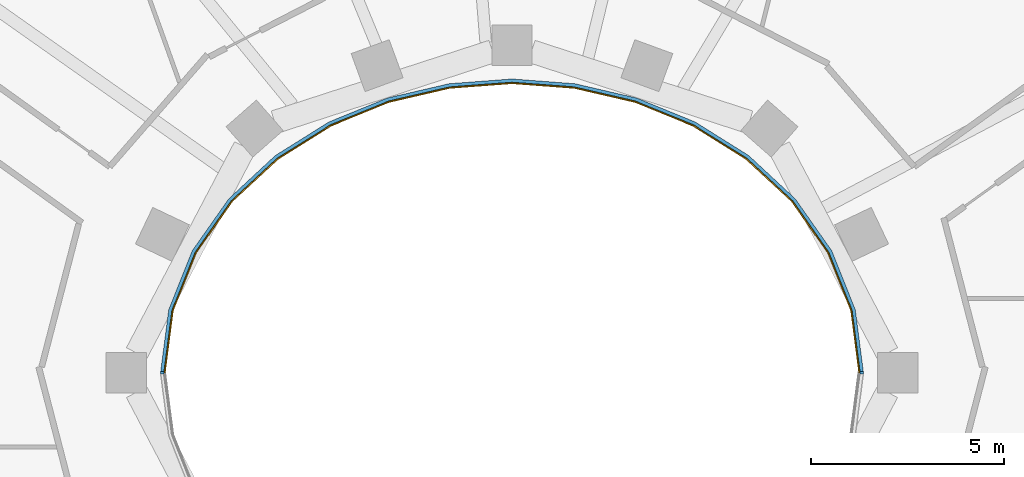
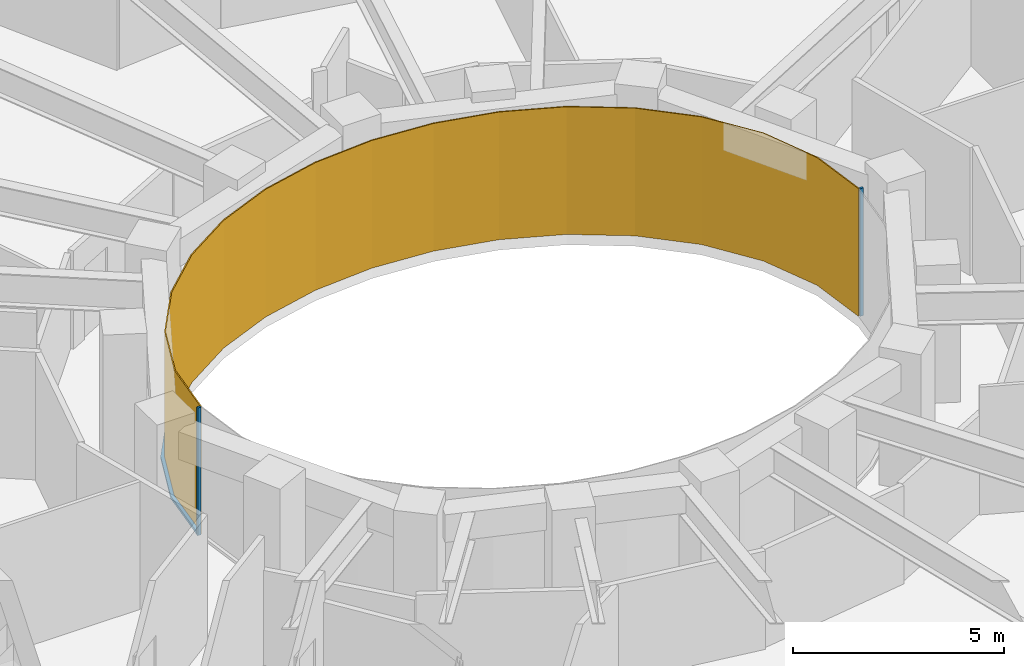
# One storey, part 12 of 16: 3 members, 1 curtain wall.
"""IFC4 building model written with IfcOpenShell, lengths in metres."""

from ifc_helpers import new_model, si_unit, direction, frame, origin, origin_2d, place, context, subcontext, project, spatial, polyline, rectangle, outline, extrude, material, layer, layer_set, material_profile, profile_set, type_object, element, aggregate, save


model = new_model("IFC4")

# Units and contexts
model_context = context("Model", 3, precision=1e-05, world=origin(), true_north=direction((0.0, 1.0)))
body_context = subcontext(model_context, "Body", "Model", "MODEL_VIEW")
ifc_project = project(units=[si_unit("LENGTHUNIT", "METRE"), si_unit("AREAUNIT", "SQUARE_METRE"), si_unit("VOLUMEUNIT", "CUBIC_METRE"), si_unit("PLANEANGLEUNIT", "RADIAN"), si_unit("MASSUNIT", "GRAM", prefix="KILO")], contexts=[model_context])

# Member
ifc_material_1 = material(Name="Steel S355 fire-resisting frame", Category="steel")
ifc_material_profile = material_profile(ifc_material_1, rectangle(XDim=0.090087890625, YDim=0.06005859375, at=origin_2d()), Name="90x60")
ifc_profile_set = profile_set([ifc_material_profile], Name="Steel S355 fire-resisting frame")
member_type_1 = type_object("IfcMemberType", Name="ENV-MULLION-W-90", PredefinedType="MULLION", material=ifc_profile_set)
site_placement = place(None, origin())
building_placement = place(site_placement, origin())
storey_placement = place(building_placement, frame((0.0, 0.0, 178.0)))
member_1_placement = place(storey_placement, frame((9.076904296875, 0.0, 0.0), z_axis=(0.0, 0.0, 1.0), x_axis=(1.0, 0.0, 0.0)))
member_1 = element("IfcMember", 1, at=member_1_placement, type_object=member_type_1, Name="Mullion W well vertex 01", PredefinedType="MULLION", context=body_context, shape_type="SweptSolid", body=[
    extrude(rectangle(XDim=0.090087890625, YDim=0.06005859375, at=origin_2d()), origin(), (0.0, 0.0, 1.0), 3.699951171875),
])

member_2_placement = place(storey_placement, frame((-9.076904296875, 0.0, 0.0), z_axis=(0.0, 0.0, 1.0), x_axis=(-1.0, 0.0, 0.0)))
member_2 = element("IfcMember", 2, at=member_2_placement, type_object=member_type_1, Name="Mullion W well vertex 17", PredefinedType="MULLION", context=body_context, shape_type="SweptSolid", body=[
    extrude(rectangle(XDim=0.090087890625, YDim=0.06005859375, at=origin_2d()), origin(), (0.0, 0.0, 1.0), 3.699951171875),
])

ifc_material_2 = material(Name="Steel S355 fire-resisting frame", Category="steel")
member_type_2 = type_object("IfcMemberType", Name="ENV-TRANSOM-W", PredefinedType="USERDEFINED", material=ifc_material_2)
member_3_placement = place(storey_placement, origin())
member_3 = element("IfcMember", 3, at=member_3_placement, type_object=member_type_2, Name="Transom W well 01-17", ObjectType="TRANSOM", PredefinedType="USERDEFINED", context=body_context, shape_type="SweptSolid", body=[
    extrude(outline(polyline([(9.119384765625, 0.02783203125), (8.910400390625, 1.63623046875), (8.29833984375, 3.167236328125), (7.35107421875, 4.5146484375), (6.1455078125, 5.6337890625), (4.75341796875, 6.50634765625), (3.233642578125, 7.127685546875), (1.635498046875, 7.498779296875), (0.0, 7.622314453125), (-1.635498046875, 7.498779296875), (-3.233642578125, 7.127685546875), (-4.75341796875, 6.50634765625), (-6.1455078125, 5.6337890625), (-7.35107421875, 4.5146484375), (-8.29833984375, 3.167236328125), (-8.910400390625, 1.63623046875), (-9.119384765625, 0.02783203125), (-9.02880859375, 0.02783203125), (-8.822509765625, 1.61328125), (-8.21875, 3.124267578125), (-7.282958984375, 4.455078125), (-6.090576171875, 5.56201171875), (-4.712158203125, 6.426025390625), (-3.206298828125, 7.04150390625), (-1.621826171875, 7.40966796875), (0.0, 7.531982421875), (1.621826171875, 7.40966796875), (3.206298828125, 7.04150390625), (4.712158203125, 6.426025390625), (6.090576171875, 5.56201171875), (7.282958984375, 4.455078125), (8.21875, 3.124267578125), (8.822509765625, 1.61328125), (9.02880859375, 0.02783203125), (9.119384765625, 0.02783203125)])), origin(), (0.0, 0.0, 1.0), 0.080078125),
])

# Site, building, storey
site = spatial("IfcSite", under=ifc_project, at=site_placement, CompositionType="ELEMENT")
building = spatial("IfcBuilding", under=site, at=building_placement, Name="Noorbagh Ring Tower", CompositionType="ELEMENT")
storey = spatial("IfcBuildingStorey", under=building, at=storey_placement, Name="L41", CompositionType="ELEMENT", Elevation=178.0)

# Curtain wall
ifc_material_3 = material(Name="Glass fire-resisting E60 laminated", Category="glass")
ifc_layer = layer(ifc_material_3, 0.031982421875)
ifc_layer_set = layer_set([ifc_layer], Name="Glass fire-resisting E60 laminated")
curtain_wall_type = type_object("IfcCurtainWallType", Name="ENV-CW-W", PredefinedType="NOTDEFINED", material=ifc_layer_set)
curtain_wall_placement = place(storey_placement, origin())
curtain_wall = element("IfcCurtainWall", 4, at=curtain_wall_placement, inside=storey, type_object=curtain_wall_type, Name="Curtain wall W W01", PredefinedType="NOTDEFINED", context=body_context, shape_type="SweptSolid", body=[
    extrude(outline(polyline([(9.0322265625, 0.0), (8.822509765625, 1.61328125), (8.21875, 3.124267578125), (7.282958984375, 4.455078125), (6.090576171875, 5.56201171875), (4.712158203125, 6.426025390625), (3.206298828125, 7.04150390625), (1.621826171875, 7.40966796875), (0.0, 7.531982421875), (-1.621826171875, 7.40966796875), (-3.206298828125, 7.04150390625), (-4.712158203125, 6.426025390625), (-6.090576171875, 5.56201171875), (-7.282958984375, 4.455078125), (-8.21875, 3.124267578125), (-8.822509765625, 1.61328125), (-9.0322265625, 0.0), (-9.0, 0.0), (-8.79150390625, 1.605224609375), (-8.1904296875, 3.10888671875), (-7.2587890625, 4.43408203125), (-6.071044921875, 5.53662109375), (-4.697509765625, 6.3974609375), (-3.196533203125, 7.010986328125), (-1.6171875, 7.3779296875), (0.0, 7.5), (1.6171875, 7.3779296875), (3.196533203125, 7.010986328125), (4.697509765625, 6.3974609375), (6.071044921875, 5.53662109375), (7.2587890625, 4.43408203125), (8.1904296875, 3.10888671875), (8.79150390625, 1.605224609375), (9.0, 0.0), (9.0322265625, 0.0)])), origin(), (0.0, 0.0, 1.0), 3.699951171875),
])

aggregate(curtain_wall, [member_1, member_2, member_3])

save(model, "model.ifc")
